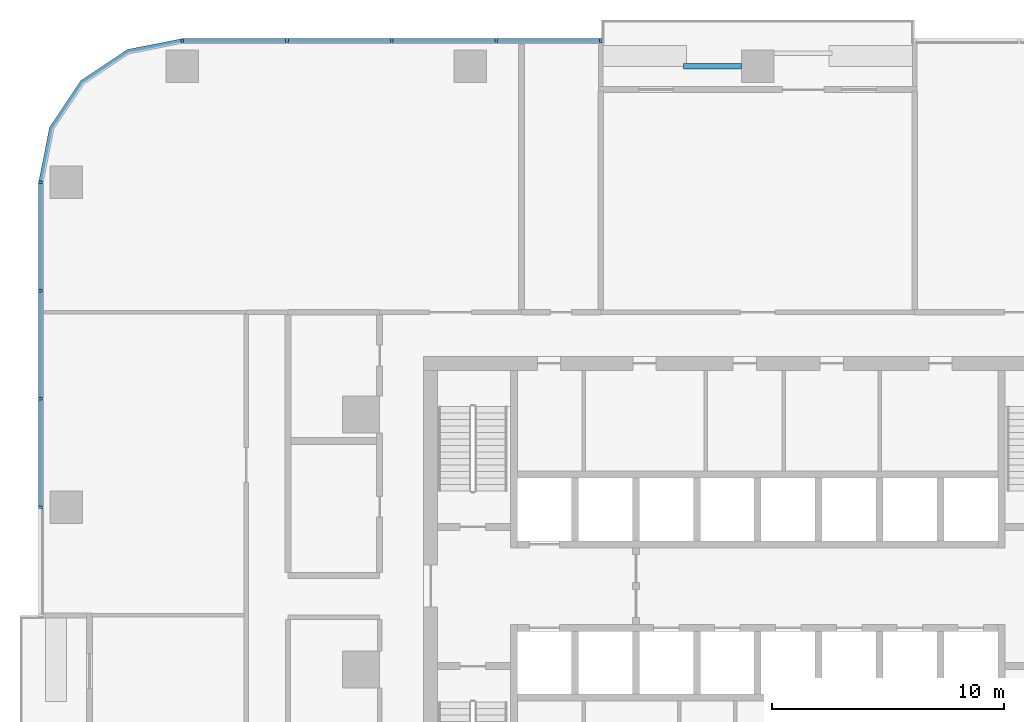
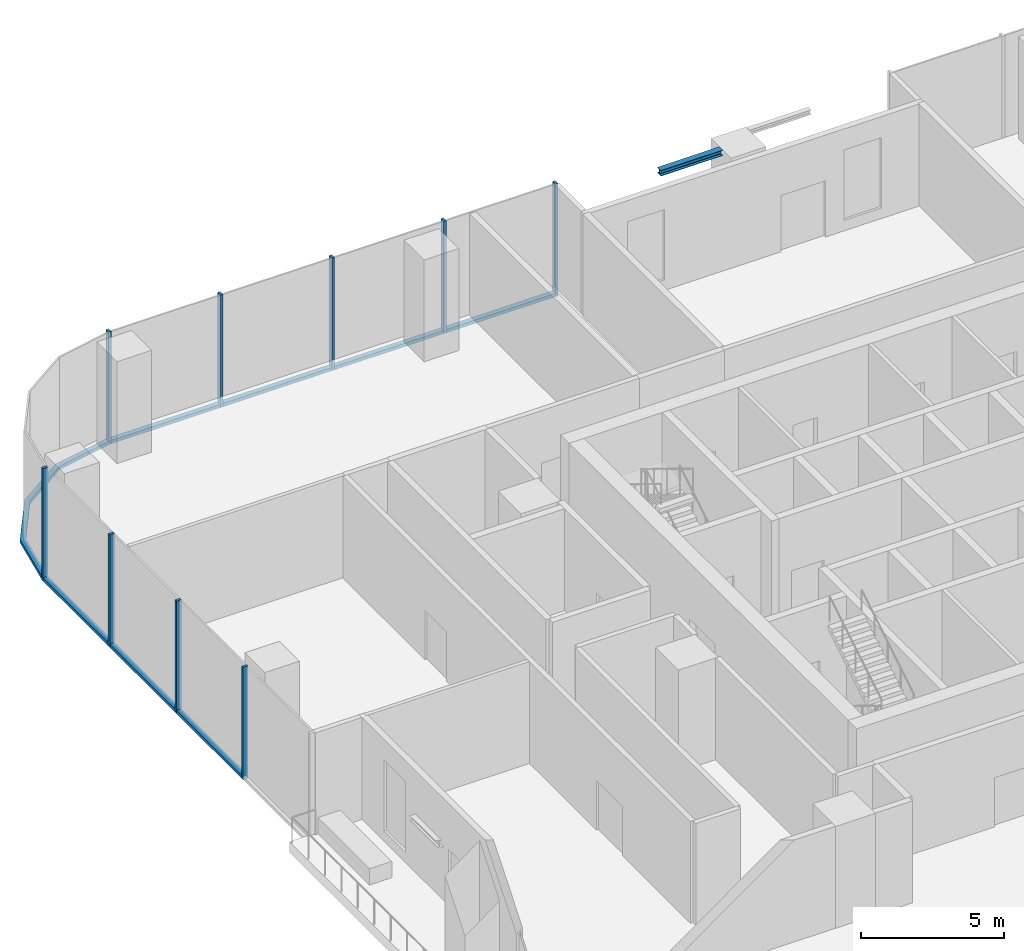
# One storey, part 4 of 14: 17 members, 1 beam, 3 elements without a shape of their own.
"""IFC4 building model written with IfcOpenShell, lengths in metres."""

from ifc_helpers import new_model, si_unit, direction, frame, origin, origin_2d, place, context, subcontext, project, spatial, polyline, rectangle, i_section, outline, extrude, material, material_profile, profile_set, type_object, element, aggregate, save


model = new_model("IFC4")

# Units and contexts
model_context = context("Model", 3, precision=1e-05, world=origin(), true_north=direction((0.0, 1.0)))
body_context = subcontext(model_context, "Body", "Model", "MODEL_VIEW")
ifc_project = project(units=[si_unit("LENGTHUNIT", "METRE"), si_unit("AREAUNIT", "SQUARE_METRE"), si_unit("VOLUMEUNIT", "CUBIC_METRE"), si_unit("PLANEANGLEUNIT", "RADIAN"), si_unit("MASSUNIT", "GRAM", prefix="KILO")], contexts=[model_context])

# Site, building, storey
site_placement = place(None, origin())
site = spatial("IfcSite", under=ifc_project, at=site_placement, CompositionType="ELEMENT")
building_placement = place(site_placement, origin())
building = spatial("IfcBuilding", under=site, at=building_placement, Name="Mopane Tessera Tower", CompositionType="ELEMENT")
storey_placement = place(building_placement, frame((0.0, 0.0, 50.199951171875)))
storey = spatial("IfcBuildingStorey", under=building, at=storey_placement, Name="L09", CompositionType="ELEMENT", Elevation=50.199951171875)

# Curtain wall, members
ifc_material_1 = material(Name="Aluminium frame", Category="aluminium")
curtain_wall_type = type_object("IfcCurtainWallType", Name="Lower tower unitised wall", PredefinedType="NOTDEFINED", material=ifc_material_1)
curtain_wall_1_placement = place(storey_placement, origin())
curtain_wall_1 = element("IfcCurtainWall", 1, at=curtain_wall_1_placement, inside=storey, type_object=curtain_wall_type, Name="e:cw:L09:N:7", PredefinedType="NOTDEFINED")
ifc_material_2 = material(Name="Aluminium frame", Category="aluminium")
ifc_material_profile_1 = material_profile(ifc_material_2, rectangle(XDim=0.110107421875, YDim=0.199951171875, at=origin_2d()))
ifc_profile_set_1 = profile_set([ifc_material_profile_1], Name="Aluminium frame")
member_type_1 = type_object("IfcMemberType", Name="Aluminium mullion 110 x 200", PredefinedType="MULLION", material=ifc_profile_set_1)
member_1_placement = place(storey_placement, frame((-6.763671875, 27.10009765625, -0.449951171875), z_axis=(0.0, 0.0, 1.0), x_axis=(-1.0, 0.0, 0.0)))
member_1 = element("IfcMember", 2, at=member_1_placement, type_object=member_type_1, Name="e:cw:L09:N:7:mu7", PredefinedType="MULLION", context=body_context, shape_type="SweptSolid", body=[
    extrude(rectangle(XDim=0.110107421875, YDim=0.199951171875, at=origin_2d()), origin(), (0.0, 0.0, 1.0), 4.800048828125),
])
member_2_placement = place(storey_placement, frame((-11.272705078125, 27.10009765625, -0.449951171875), z_axis=(0.0, 0.0, 1.0), x_axis=(-1.0, 0.0, 0.0)))
member_2 = element("IfcMember", 3, at=member_2_placement, type_object=member_type_1, Name="e:cw:L09:N:7:mu8", PredefinedType="MULLION", context=body_context, shape_type="SweptSolid", body=[
    extrude(rectangle(XDim=0.110107421875, YDim=0.199951171875, at=origin_2d()), origin(), (0.0, 0.0, 1.0), 4.800048828125),
])
member_3_placement = place(storey_placement, frame((-15.78173828125, 27.10009765625, -0.449951171875), z_axis=(0.0, 0.0, 1.0), x_axis=(-1.0, 0.0, 0.0)))
member_3 = element("IfcMember", 4, at=member_3_placement, type_object=member_type_1, Name="e:cw:L09:N:7:mu9", PredefinedType="MULLION", context=body_context, shape_type="SweptSolid", body=[
    extrude(rectangle(XDim=0.110107421875, YDim=0.199951171875, at=origin_2d()), origin(), (0.0, 0.0, 1.0), 4.800048828125),
])
member_4_placement = place(storey_placement, frame((-20.291015625, 27.10009765625, -0.449951171875), z_axis=(0.0, 0.0, 1.0), x_axis=(-1.0, 0.0, 0.0)))
member_4 = element("IfcMember", 5, at=member_4_placement, type_object=member_type_1, Name="e:cw:L09:N:7:mu10", PredefinedType="MULLION", context=body_context, shape_type="SweptSolid", body=[
    extrude(rectangle(XDim=0.110107421875, YDim=0.199951171875, at=origin_2d()), origin(), (0.0, 0.0, 1.0), 4.800048828125),
])
member_5_placement = place(storey_placement, frame((-24.800048828125, 27.10009765625, -0.449951171875), z_axis=(0.0, 0.0, 1.0), x_axis=(-1.0, 0.0, 0.0)))
member_5 = element("IfcMember", 6, at=member_5_placement, type_object=member_type_1, Name="e:cw:L09:N:7:mu11", PredefinedType="MULLION", context=body_context, shape_type="SweptSolid", body=[
    extrude(rectangle(XDim=0.110107421875, YDim=0.199951171875, at=origin_2d()), origin(), (0.0, 0.0, 1.0), 4.800048828125),
])

curtain_wall_2_placement = place(storey_placement, origin())
curtain_wall_2 = element("IfcCurtainWall", 7, at=curtain_wall_2_placement, inside=storey, type_object=curtain_wall_type, Name="e:cw:L09:W:0", PredefinedType="NOTDEFINED")
member_6_placement = place(storey_placement, frame((-30.89990234375, 21.0, -0.449951171875), z_axis=(0.0, 0.0, 1.0), x_axis=(0.0, -1.0, 0.0)))
member_6 = element("IfcMember", 8, at=member_6_placement, type_object=member_type_1, Name="e:cw:L09:W:0:mu0", PredefinedType="MULLION", context=body_context, shape_type="SweptSolid", body=[
    extrude(rectangle(XDim=0.110107421875, YDim=0.199951171875, at=origin_2d()), origin(), (0.0, 0.0, 1.0), 4.800048828125),
])
member_7_placement = place(storey_placement, frame((-30.89990234375, 16.333251953125, -0.449951171875), z_axis=(0.0, 0.0, 1.0), x_axis=(0.0, -1.0, 0.0)))
member_7 = element("IfcMember", 9, at=member_7_placement, type_object=member_type_1, Name="e:cw:L09:W:0:mu1", PredefinedType="MULLION", context=body_context, shape_type="SweptSolid", body=[
    extrude(rectangle(XDim=0.110107421875, YDim=0.199951171875, at=origin_2d()), origin(), (0.0, 0.0, 1.0), 4.800048828125),
])
member_8_placement = place(storey_placement, frame((-30.89990234375, 11.666748046875, -0.449951171875), z_axis=(0.0, 0.0, 1.0), x_axis=(0.0, -1.0, 0.0)))
member_8 = element("IfcMember", 10, at=member_8_placement, type_object=member_type_1, Name="e:cw:L09:W:0:mu2", PredefinedType="MULLION", context=body_context, shape_type="SweptSolid", body=[
    extrude(rectangle(XDim=0.110107421875, YDim=0.199951171875, at=origin_2d()), origin(), (0.0, 0.0, 1.0), 4.800048828125),
])
member_9_placement = place(storey_placement, frame((-30.89990234375, 7.0, -0.449951171875), z_axis=(0.0, 0.0, 1.0), x_axis=(0.0, -1.0, 0.0)))
member_9 = element("IfcMember", 11, at=member_9_placement, type_object=member_type_1, Name="e:cw:L09:W:0:mu3", PredefinedType="MULLION", context=body_context, shape_type="SweptSolid", body=[
    extrude(rectangle(XDim=0.110107421875, YDim=0.199951171875, at=origin_2d()), origin(), (0.0, 0.0, 1.0), 4.800048828125),
])

# Member
ifc_material_3 = material(Name="Aluminium frame", Category="aluminium")
ifc_material_profile_2 = material_profile(ifc_material_3, rectangle(XDim=0.199951171875, YDim=0.139892578125, at=origin_2d()))
ifc_profile_set_2 = profile_set([ifc_material_profile_2], Name="Aluminium frame")
member_type_2 = type_object("IfcMemberType", Name="Aluminium transom 200 x 140", PredefinedType="USERDEFINED", material=ifc_profile_set_2)
member_10_placement = place(storey_placement, frame((-6.818603515625, 27.10009765625, -0.3798828125), z_axis=(-1.0, 0.0, 0.0), x_axis=(0.0, -1.0, 0.0)))
member_10 = element("IfcMember", 12, at=member_10_placement, type_object=member_type_2, Name="e:cw:L09:N:7:tr7", ObjectType="TRANSOM", PredefinedType="USERDEFINED", context=body_context, shape_type="SweptSolid", body=[
    extrude(rectangle(XDim=0.199951171875, YDim=0.139892578125, at=origin_2d()), origin(), (0.0, 0.0, 1.0), 4.399169921875),
])

member_11_placement = place(storey_placement, frame((-11.32763671875, 27.10009765625, -0.3798828125), z_axis=(-1.0, 0.0, 0.0), x_axis=(0.0, -1.0, 0.0)))
member_11 = element("IfcMember", 13, at=member_11_placement, type_object=member_type_2, Name="e:cw:L09:N:7:tr8", ObjectType="TRANSOM", PredefinedType="USERDEFINED", context=body_context, shape_type="SweptSolid", body=[
    extrude(rectangle(XDim=0.199951171875, YDim=0.139892578125, at=origin_2d()), origin(), (0.0, 0.0, 1.0), 4.399169921875),
])

member_12_placement = place(storey_placement, frame((-15.8369140625, 27.10009765625, -0.3798828125), z_axis=(-1.0, 0.0, 0.0), x_axis=(0.0, -1.0, 0.0)))
member_12 = element("IfcMember", 14, at=member_12_placement, type_object=member_type_2, Name="e:cw:L09:N:7:tr9", ObjectType="TRANSOM", PredefinedType="USERDEFINED", context=body_context, shape_type="SweptSolid", body=[
    extrude(rectangle(XDim=0.199951171875, YDim=0.139892578125, at=origin_2d()), origin(), (0.0, 0.0, 1.0), 4.39892578125),
])

member_13_placement = place(storey_placement, frame((-20.345947265625, 27.10009765625, -0.3798828125), z_axis=(-1.0, 0.0, 0.0), x_axis=(0.0, -1.0, 0.0)))
member_13 = element("IfcMember", 15, at=member_13_placement, type_object=member_type_2, Name="e:cw:L09:N:7:tr10", ObjectType="TRANSOM", PredefinedType="USERDEFINED", context=body_context, shape_type="SweptSolid", body=[
    extrude(rectangle(XDim=0.199951171875, YDim=0.139892578125, at=origin_2d()), origin(), (0.0, 0.0, 1.0), 4.399169921875),
])

aggregate(curtain_wall_1, [member_1, member_2, member_3, member_4, member_5, member_10, member_11, member_12, member_13])

# Curtain wall, member
curtain_wall_3_placement = place(storey_placement, origin())
curtain_wall_3 = element("IfcCurtainWall", 16, at=curtain_wall_3_placement, inside=storey, type_object=curtain_wall_type, Name="e:cw:L09:CN", PredefinedType="NOTDEFINED")
member_14_placement = place(storey_placement, frame((0.0, 0.0, -0.449951171875)))
member_14 = element("IfcMember", 17, at=member_14_placement, type_object=member_type_2, Name="e:cw:L09:CN:tr", ObjectType="TRANSOM", PredefinedType="USERDEFINED", context=body_context, shape_type="SweptSolid", body=[
    extrude(outline(polyline([(-24.800048828125, 27.0), (-27.09619140625, 26.543212890625), (-29.042724609375, 25.24267578125), (-30.34326171875, 23.296142578125), (-30.800048828125, 21.0), (-31.0, 21.0), (-30.528076171875, 23.37255859375), (-29.18408203125, 25.384033203125), (-27.172607421875, 26.72802734375), (-24.800048828125, 27.199951171875), (-24.800048828125, 27.0)])), origin(), (0.0, 0.0, 1.0), 0.139892578125),
])
aggregate(curtain_wall_3, [member_14])

# Member
member_15_placement = place(storey_placement, frame((-30.89990234375, 20.945068359375, -0.3798828125), z_axis=(0.0, -1.0, 0.0), x_axis=(1.0, 0.0, 0.0)))
member_15 = element("IfcMember", 18, at=member_15_placement, type_object=member_type_2, Name="e:cw:L09:W:0:tr0", ObjectType="TRANSOM", PredefinedType="USERDEFINED", context=body_context, shape_type="SweptSolid", body=[
    extrude(rectangle(XDim=0.199951171875, YDim=0.139892578125, at=origin_2d()), origin(), (0.0, 0.0, 1.0), 4.556640625),
])

member_16_placement = place(storey_placement, frame((-30.89990234375, 16.2783203125, -0.3798828125), z_axis=(0.0, -1.0, 0.0), x_axis=(1.0, 0.0, 0.0)))
member_16 = element("IfcMember", 19, at=member_16_placement, type_object=member_type_2, Name="e:cw:L09:W:0:tr1", ObjectType="TRANSOM", PredefinedType="USERDEFINED", context=body_context, shape_type="SweptSolid", body=[
    extrude(rectangle(XDim=0.199951171875, YDim=0.139892578125, at=origin_2d()), origin(), (0.0, 0.0, 1.0), 4.556640625),
])

member_17_placement = place(storey_placement, frame((-30.89990234375, 11.611572265625, -0.3798828125), z_axis=(0.0, -1.0, 0.0), x_axis=(1.0, 0.0, 0.0)))
member_17 = element("IfcMember", 20, at=member_17_placement, type_object=member_type_2, Name="e:cw:L09:W:0:tr2", ObjectType="TRANSOM", PredefinedType="USERDEFINED", context=body_context, shape_type="SweptSolid", body=[
    extrude(rectangle(XDim=0.199951171875, YDim=0.139892578125, at=origin_2d()), origin(), (0.0, 0.0, 1.0), 4.556640625),
])

aggregate(curtain_wall_2, [member_6, member_7, member_8, member_9, member_15, member_16, member_17])

# Beam
ifc_material_4 = material(Name="Structural steel S460", Category="steel")
ifc_material_profile_3 = material_profile(ifc_material_4, i_section(OverallWidth=0.239990234375, OverallDepth=0.239990234375, WebThickness=0.010009765625, FlangeThickness=0.01708984375, FilletRadius=0.02099609375, at=origin_2d()))
ifc_profile_set_3 = profile_set([ifc_material_profile_3], Name="Structural steel S460")
beam_type = type_object("IfcBeamType", Name="Terrace spandrel beam HE 240 B", PredefinedType="SPANDREL", material=ifc_profile_set_3)
beam_placement = place(storey_placement, frame((-0.702880859375, 26.0, 4.22998046875), z_axis=(-1.0, 0.0, 0.0), x_axis=(0.0, -1.0, 0.0)))
element("IfcBeam", 21, at=beam_placement, inside=storey, type_object=beam_type, Name="Terrace spandrel beam N2 L10", PredefinedType="SPANDREL", context=body_context, shape_type="SweptSolid", body=[
    extrude(i_section(OverallWidth=0.239990234375, OverallDepth=0.239990234375, WebThickness=0.010009765625, FlangeThickness=0.01708984375, FilletRadius=0.02099609375, at=origin_2d()), origin(), (0.0, 0.0, 1.0), 2.5),
])

save(model, "model.ifc")
